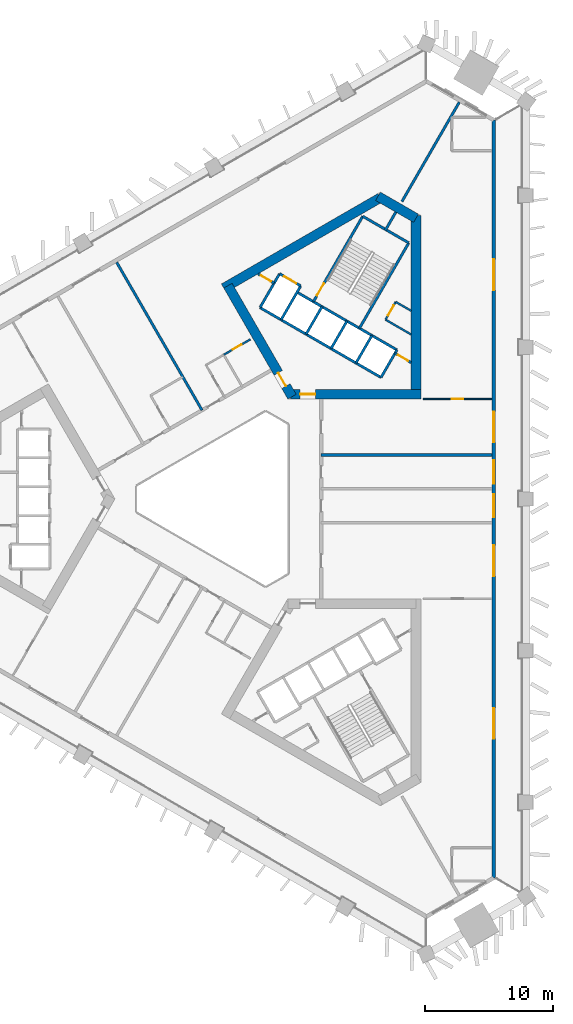
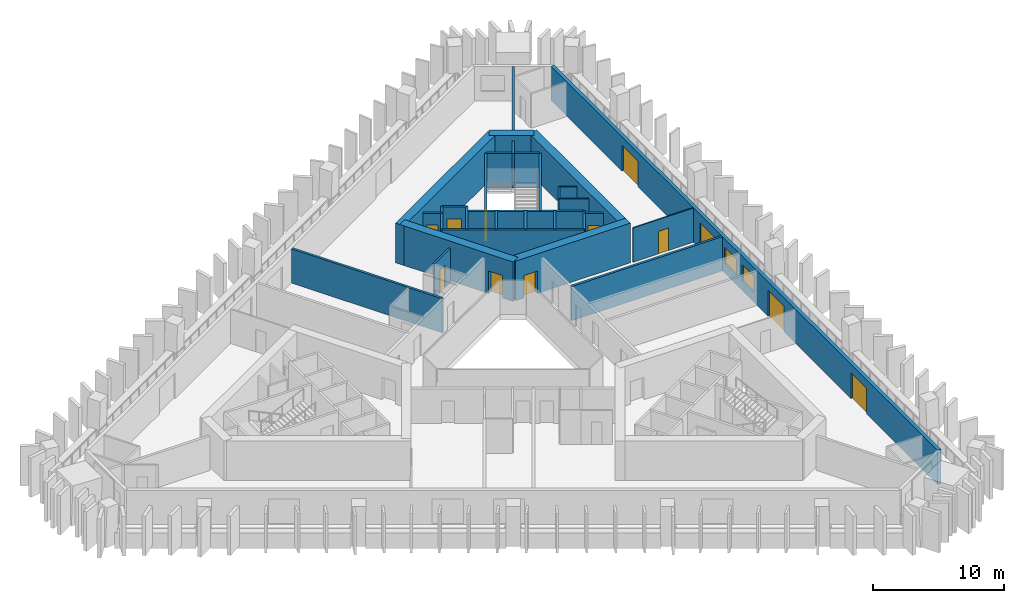
# One storey, part 6 of 11: 29 walls, 13 doors, 2 windows, 15 openings.
"""IFC4 building model written with IfcOpenShell, lengths in metres."""

from ifc_helpers import new_model, si_unit, direction, frame, frame_2d, origin, place, context, subcontext, project, spatial, rectangle, extrude, material, layer, layer_set, type_object, element, fill, save


model = new_model("IFC4")

# Units and contexts
model_context = context("Model", 3, precision=1e-05, world=origin(), true_north=direction((0.0, 1.0)))
body_context = subcontext(model_context, "Body", "Model", "MODEL_VIEW")
ifc_project = project(units=[si_unit("LENGTHUNIT", "METRE"), si_unit("AREAUNIT", "SQUARE_METRE"), si_unit("VOLUMEUNIT", "CUBIC_METRE"), si_unit("PLANEANGLEUNIT", "RADIAN"), si_unit("MASSUNIT", "GRAM", prefix="KILO")], contexts=[model_context])

# Site, building, storey
site_placement = place(None, origin())
site = spatial("IfcSite", under=ifc_project, at=site_placement, CompositionType="ELEMENT")
building_placement = place(site_placement, origin())
building = spatial("IfcBuilding", under=site, at=building_placement, Name="Jabali Bay Hotel Tower and Convention Centre", CompositionType="ELEMENT")
storey_placement = place(building_placement, frame((0.0, 0.0, 75.800048828125)))
storey = spatial("IfcBuildingStorey", under=building, at=storey_placement, Name="L17", CompositionType="ELEMENT", Elevation=75.800048828125)

# Wall
ifc_material_1 = material(Name="Concrete C40", Category="concrete")
ifc_layer_1 = layer(ifc_material_1, 0.199951171875)
ifc_layer_set_1 = layer_set([ifc_layer_1], Name="Concrete C40")
wall_type_1 = type_object("IfcWallType", Name="Core partition wall 200", PredefinedType="PARTITIONING", material=ifc_layer_set_1)
wall_1_placement = place(storey_placement, frame((87.090087890625, 100.9404296875, 0.0), z_axis=(0.0, 0.0, 1.0), x_axis=(0.499937194881, 0.866061661301, 0.0)))
element("IfcWall", 1, at=wall_1_placement, inside=storey, type_object=wall_type_1, Name="Core wall 1.5 L17", PredefinedType="PARTITIONING", context=body_context, shape_type="SweptSolid", body=[
    extrude(rectangle(XDim=1.673095703125, YDim=0.199951171875, at=frame_2d((0.83642578125, 0.0))), origin(), (0.0, 0.0, 1.0), 3.199951171875),
])

# Wall, opening, door
wall_2_placement = place(storey_placement, frame((89.130126953125, 90.640625, 0.0), z_axis=(0.0, 0.0, 1.0), x_axis=(-0.866094119867, 0.499880961361, 0.0)))
wall_2 = element("IfcWall", 2, at=wall_2_placement, inside=storey, type_object=wall_type_1, Name="Core wall 1.11 L17", PredefinedType="PARTITIONING", context=body_context, shape_type="SweptSolid", body=[
    extrude(rectangle(XDim=1.466552734375, YDim=0.199951171875, at=frame_2d((0.7333984375, 0.0))), origin(), (0.0, 0.0, 1.0), 3.199951171875),
])
opening_1_placement = place(wall_2_placement, frame((0.283447265625, 0.0, 0.0)))
opening_1 = element("IfcOpeningElement", 3, at=opening_1_placement, cuts=wall_2, Name="Opening D429", PredefinedType="OPENING", context=body_context, shape_type="SweptSolid", body=[
    extrude(rectangle(XDim=0.89990234375, YDim=2.10009765625, at=frame_2d((0.449951171875, 1.050048828125))), frame((0.0, 0.1103515625, 0.0), z_axis=(0.0, -1.0, 0.0), x_axis=(1.0, 0.0, 0.0)), (0.0, 0.0, 1.0), 0.220947265625),
])
ifc_material_2 = material(Name="Fire-rated steel door", Category="steel")
door_type_1 = type_object("IfcDoorType", Name="Vestibule fire door 900 x 2100", OperationType="NOTDEFINED", PredefinedType="NOTDEFINED", material=ifc_material_2)
door_1_placement = place(opening_1_placement, origin())
door_1 = element("IfcDoor", 4, at=door_1_placement, inside=storey, type_object=door_type_1, Name="Vestibule fire door D429", OperationType="SINGLE_SWING_LEFT", OverallHeight=2.10009765625, OverallWidth=0.89990234375, PredefinedType="NOTDEFINED", context=body_context, shape_type="SweptSolid", body=[
    extrude(rectangle(XDim=0.89990234375, YDim=2.10009765625, at=frame_2d((0.449951171875, 1.050048828125))), frame((0.0, 0.02490234375, 0.0), z_axis=(0.0, -1.0, 0.0), x_axis=(1.0, 0.0, 0.0)), (0.0, 0.0, 1.0), 0.050048828125),
])
fill(opening_1, door_1)

wall_3_placement = place(storey_placement, frame((78.43017578125, 96.84130859375, 0.0), z_axis=(0.0, 0.0, 1.0), x_axis=(-0.866045896294, 0.499964504253, 0.0)))
wall_3 = element("IfcWall", 5, at=wall_3_placement, inside=storey, type_object=wall_type_1, Name="Core wall 1.12 L17", PredefinedType="PARTITIONING", context=body_context, shape_type="SweptSolid", body=[
    extrude(rectangle(XDim=1.455078125, YDim=0.199951171875, at=frame_2d((0.7275390625, 0.0))), origin(), (0.0, 0.0, 1.0), 3.199951171875),
])
opening_2_placement = place(wall_3_placement, frame((0.277587890625, 0.0, 0.0)))
opening_2 = element("IfcOpeningElement", 6, at=opening_2_placement, cuts=wall_3, Name="Opening D428", PredefinedType="OPENING", context=body_context, shape_type="SweptSolid", body=[
    extrude(rectangle(XDim=0.89990234375, YDim=2.10009765625, at=frame_2d((0.449951171875, 1.050048828125))), frame((0.0, 0.1103515625, 0.0), z_axis=(0.0, -1.0, 0.0), x_axis=(1.0, 0.0, 0.0)), (0.0, 0.0, 1.0), 0.220947265625),
])
door_2_placement = place(opening_2_placement, origin())
door_2 = element("IfcDoor", 7, at=door_2_placement, inside=storey, type_object=door_type_1, Name="Vestibule fire door D428", OperationType="SINGLE_SWING_LEFT", OverallHeight=2.10009765625, OverallWidth=0.89990234375, PredefinedType="NOTDEFINED", context=body_context, shape_type="SweptSolid", body=[
    extrude(rectangle(XDim=0.89990234375, YDim=2.10009765625, at=frame_2d((0.449951171875, 1.050048828125))), frame((0.0, 0.02490234375, 0.0), z_axis=(0.0, -1.0, 0.0), x_axis=(1.0, 0.0, 0.0)), (0.0, 0.0, 1.0), 0.050048828125),
])
fill(opening_2, door_2)

ifc_material_3 = material(Name="Fire-rated board partition")
ifc_layer_2 = layer(ifc_material_3, 0.14990234375)
ifc_layer_set_2 = layer_set([ifc_layer_2], Name="Fire-rated board partition")
wall_type_2 = type_object("IfcWallType", Name="Core room partition 150", PredefinedType="PARTITIONING", material=ifc_layer_set_2)
wall_4_placement = place(storey_placement, frame((87.12109375, 93.994384765625, 0.0), z_axis=(0.0, 0.0, 1.0), x_axis=(0.500061482766, 0.865989903783, 0.0)))
wall_4 = element("IfcWall", 8, at=wall_4_placement, inside=storey, type_object=wall_type_2, Name="Core wall 1.1 L17", PredefinedType="PARTITIONING", context=body_context, shape_type="SweptSolid", body=[
    extrude(rectangle(XDim=1.599853515625, YDim=0.14990234375, at=frame_2d((0.7998046875, 0.0))), origin(), (0.0, 0.0, 1.0), 3.199951171875),
])
opening_3_placement = place(wall_4_placement, frame((0.387451171875, 0.0, 0.0)))
opening_3 = element("IfcOpeningElement", 9, at=opening_3_placement, cuts=wall_4, Name="Opening D431", PredefinedType="OPENING", context=body_context, shape_type="SweptSolid", body=[
    extrude(rectangle(XDim=0.89990234375, YDim=2.10009765625, at=frame_2d((0.449951171875, 1.050048828125))), frame((0.0, 0.08544921875, 0.0), z_axis=(0.0, -1.0, 0.0), x_axis=(1.0, 0.0, 0.0)), (0.0, 0.0, 1.0), 0.1708984375),
])
door_type_2 = type_object("IfcDoorType", Name="Core room door 900 x 2100", OperationType="NOTDEFINED", PredefinedType="NOTDEFINED", material=ifc_material_2)
door_3_placement = place(opening_3_placement, origin())
door_3 = element("IfcDoor", 10, at=door_3_placement, inside=storey, type_object=door_type_2, Name="Core room door D431", OperationType="SINGLE_SWING_LEFT", OverallHeight=2.10009765625, OverallWidth=0.89990234375, PredefinedType="NOTDEFINED", context=body_context, shape_type="SweptSolid", body=[
    extrude(rectangle(XDim=0.89990234375, YDim=2.10009765625, at=frame_2d((0.449951171875, 1.050048828125))), frame((0.0, 0.02490234375, 0.0), z_axis=(0.0, -1.0, 0.0), x_axis=(1.0, 0.0, 0.0)), (0.0, 0.0, 1.0), 0.050048828125),
])
fill(opening_3, door_3)

# Walls
wall_5_placement = place(storey_placement, frame((89.130126953125, 92.83447265625, 0.0), z_axis=(0.0, 0.0, 1.0), x_axis=(-0.866026103983, 0.499998787219, 0.0)))
element("IfcWall", 11, at=wall_5_placement, inside=storey, type_object=wall_type_2, Name="Core wall 1.15 L17", PredefinedType="PARTITIONING", context=body_context, shape_type="SweptSolid", body=[
    extrude(rectangle(XDim=2.31982421875, YDim=0.14990234375, at=frame_2d((1.159912109375, 0.0))), origin(), (0.0, 0.0, 1.0), 3.199951171875),
])
wall_6_placement = place(storey_placement, frame((89.1298828125, 94.68212890625, 0.0), z_axis=(0.0, 0.0, 1.0), x_axis=(-0.866060334111, 0.499939494019, 0.0)))
element("IfcWall", 12, at=wall_6_placement, inside=storey, type_object=wall_type_2, Name="Core wall 1.16 L17", PredefinedType="PARTITIONING", context=body_context, shape_type="SweptSolid", body=[
    extrude(rectangle(XDim=1.395751953125, YDim=0.14990234375, at=frame_2d((0.69775390625, 0.0))), origin(), (0.0, 0.0, 1.0), 3.199951171875),
])
ifc_layer_3 = layer(ifc_material_1, 0.199951171875)
ifc_layer_set_3 = layer_set([ifc_layer_3], Name="Concrete C40")
wall_type_3 = type_object("IfcWallType", Name="Core stair wall 200", PredefinedType="SOLIDWALL", material=ifc_layer_set_3)
for number, where, z_axis, x_axis, name in (
    (13, (86.769775390625, 89.48583984375, 0.0), (0.0, 0.0, 1.0), (0.499961042966, 0.86604789447, 0.0), "Core wall 1.0 L17"),
    (14, (84.8212890625, 90.61083984375, 0.0), (0.0, 0.0, 1.0), (0.499961042966, 0.86604789447, 0.0), "Core wall 1.2 L17"),
):
    element("IfcWall", number, at=place(storey_placement, frame(where, z_axis=z_axis, x_axis=x_axis)), inside=storey, type_object=wall_type_3, Name=name, PredefinedType="SOLIDWALL", context=body_context, shape_type="SweptSolid", body=[
        extrude(rectangle(XDim=2.480224609375, YDim=0.199951171875, at=frame_2d((1.240234375, 0.0))), origin(), (0.0, 0.0, 1.0), 3.199951171875),
    ])
wall_7_placement = place(storey_placement, frame((85.0869140625, 93.3212890625, 0.0), z_axis=(0.0, 0.0, 1.0), x_axis=(0.500019787375, 0.866013979237, 0.0)))
element("IfcWall", 15, at=wall_7_placement, inside=storey, type_object=wall_type_3, Name="Core wall 1.3 L17", PredefinedType="SOLIDWALL", context=body_context, shape_type="SweptSolid", body=[
    extrude(rectangle(XDim=7.699951171875, YDim=0.199951171875, at=frame_2d((3.85009765625, 0.0))), origin(), (0.0, 0.0, 1.0), 3.199951171875),
])
for number, where, z_axis, x_axis, name in (
    (16, (82.872802734375, 91.73583984375, 0.0), (0.0, 0.0, 1.0), (0.499961042966, 0.86604789447, 0.0), "Core wall 1.4 L17"),
    (17, (80.924072265625, 92.86083984375, 0.0), (0.0, 0.0, 1.0), (0.499961042966, 0.86604789447, 0.0), "Core wall 1.6 L17"),
):
    element("IfcWall", number, at=place(storey_placement, frame(where, z_axis=z_axis, x_axis=x_axis)), inside=storey, type_object=wall_type_3, Name=name, PredefinedType="SOLIDWALL", context=body_context, shape_type="SweptSolid", body=[
        extrude(rectangle(XDim=2.480224609375, YDim=0.199951171875, at=frame_2d((1.240234375, 0.0))), origin(), (0.0, 0.0, 1.0), 3.199951171875),
    ])

# Wall, opening, door
wall_8_placement = place(storey_placement, frame((81.492919921875, 95.396240234375, 0.0), z_axis=(0.0, 0.0, 1.0), x_axis=(0.500006057782, 0.866021906294, 0.0)))
wall_8 = element("IfcWall", 18, at=wall_8_placement, inside=storey, type_object=wall_type_3, Name="Core wall 1.7 L17", PredefinedType="SOLIDWALL", context=body_context, shape_type="SweptSolid", body=[
    extrude(rectangle(XDim=7.7001953125, YDim=0.199951171875, at=frame_2d((3.85009765625, 0.0))), origin(), (0.0, 0.0, 1.0), 3.199951171875),
])
opening_4_placement = place(wall_8_placement, frame((0.550048828125, 0.0, 0.0)))
opening_4 = element("IfcOpeningElement", 19, at=opening_4_placement, cuts=wall_8, Name="Opening D430", PredefinedType="OPENING", context=body_context, shape_type="SweptSolid", body=[
    extrude(rectangle(XDim=1.10009765625, YDim=2.10009765625, at=frame_2d((0.550048828125, 1.050048828125))), frame((0.0, 0.1103515625, 0.0), z_axis=(0.0, -1.0, 0.0), x_axis=(1.0, 0.0, 0.0)), (0.0, 0.0, 1.0), 0.220947265625),
])
door_type_3 = type_object("IfcDoorType", Name="Stair fire door 1100 x 2100", OperationType="NOTDEFINED", PredefinedType="NOTDEFINED", material=ifc_material_2)
door_4_placement = place(opening_4_placement, origin())
door_4 = element("IfcDoor", 20, at=door_4_placement, inside=storey, type_object=door_type_3, Name="Stair fire door D430", OperationType="SINGLE_SWING_RIGHT", OverallHeight=2.10009765625, OverallWidth=1.10009765625, PredefinedType="NOTDEFINED", context=body_context, shape_type="SweptSolid", body=[
    extrude(rectangle(XDim=1.10009765625, YDim=2.10009765625, at=frame_2d((0.550048828125, 1.050048828125))), frame((0.0, 0.02490234375, 0.0), z_axis=(0.0, -1.0, 0.0), x_axis=(1.0, 0.0, 0.0)), (0.0, 0.0, 1.0), 0.050048828125),
])
fill(opening_4, door_4)

# Walls
for number, where, z_axis, x_axis, name in (
    (21, (78.9755859375, 93.98583984375, 0.0), (0.0, 0.0, 1.0), (0.499944174705, 0.866057632134, 0.0), "Core wall 1.8 L17"),
    (22, (77.330078125, 94.93603515625, 0.0), (0.0, 0.0, 1.0), (0.500038867431, 0.8660029625, 0.0), "Core wall 1.9 L17"),
):
    element("IfcWall", number, at=place(storey_placement, frame(where, z_axis=z_axis, x_axis=x_axis)), inside=storey, type_object=wall_type_3, Name=name, PredefinedType="SOLIDWALL", context=body_context, shape_type="SweptSolid", body=[
        extrude(rectangle(XDim=3.050048828125, YDim=0.199951171875, at=frame_2d((1.52490234375, 0.0))), origin(), (0.0, 0.0, 1.0), 3.199951171875),
    ])
wall_9_placement = place(storey_placement, frame((86.769775390625, 89.48583984375, 0.0), z_axis=(0.0, 0.0, 1.0), x_axis=(-0.86601811187, 0.500012629753, 0.0)))
element("IfcWall", 23, at=wall_9_placement, inside=storey, type_object=wall_type_3, Name="Core wall 1.10 L17", PredefinedType="SOLIDWALL", context=body_context, shape_type="SweptSolid", body=[
    extrude(rectangle(XDim=10.900146484375, YDim=0.199951171875, at=frame_2d((5.4501953125, 0.0))), origin(), (0.0, 0.0, 1.0), 3.199951171875),
])
wall_10_placement = place(storey_placement, frame((88.009765625, 91.6337890625, 0.0), z_axis=(0.0, 0.0, 1.0), x_axis=(-0.866024315419, 0.5000018851, 0.0)))
element("IfcWall", 24, at=wall_10_placement, inside=storey, type_object=wall_type_3, Name="Core wall 1.13 L17", PredefinedType="SOLIDWALL", context=body_context, shape_type="SweptSolid", body=[
    extrude(rectangle(XDim=9.0, YDim=0.199951171875, at=frame_2d((4.5, 0.0))), origin(), (0.0, 0.0, 1.0), 3.199951171875),
])

# Wall, opening, door
wall_11_placement = place(storey_placement, frame((80.50048828125, 96.62744140625, 0.0), z_axis=(0.0, 0.0, 1.0), x_axis=(-0.86601224135, 0.500022797313, 0.0)))
wall_11 = element("IfcWall", 25, at=wall_11_placement, inside=storey, type_object=wall_type_3, Name="Core wall 1.14 L17", PredefinedType="SOLIDWALL", context=body_context, shape_type="SweptSolid", body=[
    extrude(rectangle(XDim=1.89990234375, YDim=0.199951171875, at=frame_2d((0.949951171875, 0.0))), origin(), (0.0, 0.0, 1.0), 3.199951171875),
])
opening_5_placement = place(wall_11_placement, frame((0.39990234375, 0.0, 0.0)))
opening_5 = element("IfcOpeningElement", 26, at=opening_5_placement, cuts=wall_11, Name="Opening LD10-L17", PredefinedType="OPENING", context=body_context, shape_type="SweptSolid", body=[
    extrude(rectangle(XDim=1.10009765625, YDim=2.10009765625, at=frame_2d((0.550048828125, 1.050048828125))), frame((0.0, 0.1103515625, 0.0), z_axis=(0.0, -1.0, 0.0), x_axis=(1.0, 0.0, 0.0)), (0.0, 0.0, 1.0), 0.220947265625),
])
ifc_material_4 = material(Name="Stainless steel landing door", Category="steel")
door_type_4 = type_object("IfcDoorType", Name="Landing door 1100 x 2100", OperationType="NOTDEFINED", PredefinedType="NOTDEFINED", material=ifc_material_4)
door_5_placement = place(opening_5_placement, origin())
door_5 = element("IfcDoor", 27, at=door_5_placement, inside=storey, type_object=door_type_4, Name="Landing doors LD10-L17", OperationType="SLIDING_TO_RIGHT", OverallHeight=2.10009765625, OverallWidth=1.10009765625, PredefinedType="NOTDEFINED", context=body_context, shape_type="SweptSolid", body=[
    extrude(rectangle(XDim=1.10009765625, YDim=2.10009765625, at=frame_2d((0.550048828125, 1.050048828125))), frame((0.0, 0.02490234375, 0.0), z_axis=(0.0, -1.0, 0.0), x_axis=(1.0, 0.0, 0.0)), (0.0, 0.0, 1.0), 0.050048828125),
])
fill(opening_5, door_5)

# Wall
wall_12_placement = place(storey_placement, frame((88.93701171875, 99.989501953125, 0.0), z_axis=(0.0, 0.0, 1.0), x_axis=(-0.866004344652, 0.500036473714, 0.0)))
element("IfcWall", 28, at=wall_12_placement, inside=storey, type_object=wall_type_3, Name="Core wall 1.17 L17", PredefinedType="SOLIDWALL", context=body_context, shape_type="SweptSolid", body=[
    extrude(rectangle(XDim=4.150146484375, YDim=0.199951171875, at=frame_2d((2.0751953125, 0.0))), origin(), (0.0, 0.0, 1.0), 3.199951171875),
])

# Wall, opening, door
ifc_material_5 = material(Name="Concrete C60", Category="concrete")
ifc_layer_4 = layer(ifc_material_5, 0.75)
ifc_layer_set_4 = layer_set([ifc_layer_4], Name="Concrete C60")
wall_type_4 = type_object("IfcWallType", Name="Core wall 750", PredefinedType="SHEAR", material=ifc_layer_set_4)
wall_13_placement = place(storey_placement, frame((79.716552734375, 88.169189453125, 0.0), z_axis=(0.0, 0.0, 1.0), x_axis=(1.0, 0.0, 0.0)))
wall_13 = element("IfcWall", 29, at=wall_13_placement, inside=storey, type_object=wall_type_4, Name="Core wall 2.1 L17", PredefinedType="SHEAR", context=body_context, shape_type="SweptSolid", body=[
    extrude(rectangle(XDim=10.163330078125, YDim=0.75, at=frame_2d((5.08154296875, 0.0))), origin(), (0.0, 0.0, 1.0), 3.699951171875),
])
opening_6_placement = place(wall_13_placement, frame((0.7333984375, 0.0, 0.0)))
opening_6 = element("IfcOpeningElement", 30, at=opening_6_placement, cuts=wall_13, Name="Opening D426", PredefinedType="OPENING", context=body_context, shape_type="SweptSolid", body=[
    extrude(rectangle(XDim=1.199951171875, YDim=2.10009765625, at=frame_2d((0.60009765625, 1.050048828125))), frame((0.0, 0.385498046875, 0.0), z_axis=(0.0, -1.0, 0.0), x_axis=(1.0, 0.0, 0.0)), (0.0, 0.0, 1.0), 0.77099609375),
])
door_type_5 = type_object("IfcDoorType", Name="Corridor end fire door 1200 x 2100", OperationType="NOTDEFINED", PredefinedType="NOTDEFINED", material=ifc_material_2)
door_6_placement = place(opening_6_placement, origin())
door_6 = element("IfcDoor", 31, at=door_6_placement, inside=storey, type_object=door_type_5, Name="Corridor end fire door D426", OperationType="SINGLE_SWING_RIGHT", OverallHeight=2.10009765625, OverallWidth=1.199951171875, PredefinedType="NOTDEFINED", context=body_context, shape_type="SweptSolid", body=[
    extrude(rectangle(XDim=1.199951171875, YDim=2.10009765625, at=frame_2d((0.60009765625, 1.050048828125))), frame((0.0, 0.02490234375, 0.0), z_axis=(0.0, -1.0, 0.0), x_axis=(1.0, 0.0, 0.0)), (0.0, 0.0, 1.0), 0.050048828125),
])
fill(opening_6, door_6)

# Walls
wall_14_placement = place(storey_placement, frame((89.5048828125, 88.169189453125, 0.0), z_axis=(0.0, 0.0, 1.0), x_axis=(0.0, 1.0, 0.0)))
element("IfcWall", 32, at=wall_14_placement, inside=storey, type_object=wall_type_4, Name="Core wall 2.2 L17", PredefinedType="SHEAR", context=body_context, shape_type="SweptSolid", body=[
    extrude(rectangle(XDim=13.95849609375, YDim=0.75, at=frame_2d((6.979248046875, 0.0))), origin(), (0.0, 0.0, 1.0), 3.699951171875),
])
wall_15_placement = place(storey_placement, frame((89.5048828125, 101.9111328125, 0.0), z_axis=(0.0, 0.0, 1.0), x_axis=(-0.866017201164, 0.500014207086, 0.0)))
element("IfcWall", 33, at=wall_15_placement, inside=storey, type_object=wall_type_4, Name="Core wall 2.3 L17", PredefinedType="SHEAR", context=body_context, shape_type="SweptSolid", body=[
    extrude(rectangle(XDim=3.4287109375, YDim=0.75, at=frame_2d((1.71435546875, 0.0))), origin(), (0.0, 0.0, 1.0), 3.699951171875),
])
wall_16_placement = place(storey_placement, frame((86.72314453125, 103.517333984375, 0.0), z_axis=(0.0, 0.0, 1.0), x_axis=(-0.866020851292, -0.500007885066, 0.0)))
element("IfcWall", 34, at=wall_16_placement, inside=storey, type_object=wall_type_4, Name="Core wall 2.4 L17", PredefinedType="SHEAR", context=body_context, shape_type="SweptSolid", body=[
    extrude(rectangle(XDim=14.116943359375, YDim=0.75, at=frame_2d((7.05859375, 0.0))), origin(), (0.0, 0.0, 1.0), 3.699951171875),
])

# Wall, opening, door
wall_17_placement = place(storey_placement, frame((74.822265625, 96.646240234375, 0.0), z_axis=(0.0, 0.0, 1.0), x_axis=(0.499997052475, -0.866027105532, 0.0)))
wall_17 = element("IfcWall", 35, at=wall_17_placement, inside=storey, type_object=wall_type_4, Name="Core wall 2.5 L17", PredefinedType="SHEAR", context=body_context, shape_type="SweptSolid", body=[
    extrude(rectangle(XDim=10.0048828125, YDim=0.75, at=frame_2d((5.00244140625, 0.0))), origin(), (0.0, 0.0, 1.0), 3.699951171875),
])
opening_7_placement = place(wall_17_placement, frame((7.85498046875, 0.0, 0.0)))
opening_7 = element("IfcOpeningElement", 36, at=opening_7_placement, cuts=wall_17, Name="Opening D427", PredefinedType="OPENING", context=body_context, shape_type="SweptSolid", body=[
    extrude(rectangle(XDim=1.199951171875, YDim=2.10009765625, at=frame_2d((0.60009765625, 1.050048828125))), frame((0.0, 0.385498046875, 0.0), z_axis=(0.0, -1.0, 0.0), x_axis=(1.0, 0.0, 0.0)), (0.0, 0.0, 1.0), 0.77099609375),
])
door_7_placement = place(opening_7_placement, origin())
door_7 = element("IfcDoor", 37, at=door_7_placement, inside=storey, type_object=door_type_5, Name="Corridor end fire door D427", OperationType="SINGLE_SWING_LEFT", OverallHeight=2.10009765625, OverallWidth=1.199951171875, PredefinedType="NOTDEFINED", context=body_context, shape_type="SweptSolid", body=[
    extrude(rectangle(XDim=1.199951171875, YDim=2.10009765625, at=frame_2d((0.60009765625, 1.050048828125))), frame((0.0, 0.02490234375, 0.0), z_axis=(0.0, -1.0, 0.0), x_axis=(1.0, 0.0, 0.0)), (0.0, 0.0, 1.0), 0.050048828125),
])
fill(opening_7, door_7)

# Wall, openings, doors, windows
ifc_layer_5 = layer(ifc_material_1, 0.300048828125)
ifc_layer_set_5 = layer_set([ifc_layer_5], Name="Concrete C40")
wall_type_5 = type_object("IfcWallType", Name="External wall 300", PredefinedType="SOLIDWALL", material=ifc_layer_set_5)
wall_18_placement = place(storey_placement, frame((95.575439453125, 109.583251953125, 0.0), z_axis=(0.0, 0.0, 1.0), x_axis=(0.0, -1.0, 0.0)))
wall_18 = element("IfcWall", 38, at=wall_18_placement, inside=storey, type_object=wall_type_5, Name="External wall east face L17", PredefinedType="SOLIDWALL", context=body_context, shape_type="SweptSolid", body=[
    extrude(rectangle(XDim=59.16650390625, YDim=0.300048828125, at=frame_2d((29.583251953125, 0.0))), origin(), (0.0, 0.0, 1.0), 3.199951171875),
])
opening_8_placement = place(wall_18_placement, frame((33.215576171875, 0.0, 0.0)))
opening_8 = element("IfcOpeningElement", 39, at=opening_8_placement, cuts=wall_18, Name="Opening SD1", PredefinedType="OPENING", context=body_context, shape_type="SweptSolid", body=[
    extrude(rectangle(XDim=2.39990234375, YDim=2.39990234375, at=frame_2d((1.199951171875, 1.199951171875))), frame((0.0, 0.16064453125, 0.0), z_axis=(0.0, -1.0, 0.0), x_axis=(1.0, 0.0, 0.0)), (0.0, 0.0, 1.0), 0.321044921875),
])
opening_9_placement = place(wall_18_placement, frame((45.902587890625, 0.0, 0.0)))
opening_9 = element("IfcOpeningElement", 40, at=opening_9_placement, cuts=wall_18, Name="Opening SD1", PredefinedType="OPENING", context=body_context, shape_type="SweptSolid", body=[
    extrude(rectangle(XDim=2.39990234375, YDim=2.39990234375, at=frame_2d((1.199951171875, 1.199951171875))), frame((0.0, 0.16064453125, 0.0), z_axis=(0.0, -1.0, 0.0), x_axis=(1.0, 0.0, 0.0)), (0.0, 0.0, 1.0), 0.321044921875),
])
opening_10_placement = place(wall_18_placement, frame((22.771240234375, 0.0, 0.0)))
opening_10 = element("IfcOpeningElement", 41, at=opening_10_placement, cuts=wall_18, Name="Opening SD1", PredefinedType="OPENING", context=body_context, shape_type="SweptSolid", body=[
    extrude(rectangle(XDim=2.39990234375, YDim=2.39990234375, at=frame_2d((1.199951171875, 1.199951171875))), frame((0.0, 0.16064453125, 0.0), z_axis=(0.0, -1.0, 0.0), x_axis=(1.0, 0.0, 0.0)), (0.0, 0.0, 1.0), 0.321044921875),
])
opening_11_placement = place(wall_18_placement, frame((10.8798828125, 0.0, 0.0)))
opening_11 = element("IfcOpeningElement", 42, at=opening_11_placement, cuts=wall_18, Name="Opening SD1", PredefinedType="OPENING", context=body_context, shape_type="SweptSolid", body=[
    extrude(rectangle(XDim=2.39990234375, YDim=2.39990234375, at=frame_2d((1.199951171875, 1.199951171875))), frame((0.0, 0.16064453125, 0.0), z_axis=(0.0, -1.0, 0.0), x_axis=(1.0, 0.0, 0.0)), (0.0, 0.0, 1.0), 0.321044921875),
])
opening_12_placement = place(wall_18_placement, frame((29.228759765625, 0.0, 0.89990234375)))
opening_12 = element("IfcOpeningElement", 43, at=opening_12_placement, cuts=wall_18, Name="Opening W1", PredefinedType="OPENING", context=body_context, shape_type="SweptSolid", body=[
    extrude(rectangle(XDim=1.800048828125, YDim=1.5, at=frame_2d((0.89990234375, 0.75))), frame((0.0, 0.16064453125, 0.0), z_axis=(0.0, -1.0, 0.0), x_axis=(1.0, 0.0, 0.0)), (0.0, 0.0, 1.0), 0.321044921875),
])
opening_13_placement = place(wall_18_placement, frame((26.57861328125, 0.0, 0.89990234375)))
opening_13 = element("IfcOpeningElement", 44, at=opening_13_placement, cuts=wall_18, Name="Opening W1", PredefinedType="OPENING", context=body_context, shape_type="SweptSolid", body=[
    extrude(rectangle(XDim=1.800048828125, YDim=1.5, at=frame_2d((0.89990234375, 0.75))), frame((0.0, 0.16064453125, 0.0), z_axis=(0.0, -1.0, 0.0), x_axis=(1.0, 0.0, 0.0)), (0.0, 0.0, 1.0), 0.321044921875),
])
ifc_material_6 = material(Name="Glass", Category="glass")
door_type_6 = type_object("IfcDoorType", Name="Loggia sliding door 2400 x 2400", OperationType="NOTDEFINED", PredefinedType="NOTDEFINED", material=ifc_material_6)
door_8_placement = place(opening_8_placement, origin())
door_8 = element("IfcDoor", 45, at=door_8_placement, inside=storey, type_object=door_type_6, Name="Loggia sliding door 1701", OperationType="SLIDING_TO_LEFT", OverallHeight=2.39990234375, OverallWidth=2.39990234375, PredefinedType="NOTDEFINED", context=body_context, shape_type="SweptSolid", body=[
    extrude(rectangle(XDim=2.39990234375, YDim=2.39990234375, at=frame_2d((1.199951171875, 1.199951171875))), frame((0.0, 0.02490234375, 0.0), z_axis=(0.0, -1.0, 0.0), x_axis=(1.0, 0.0, 0.0)), (0.0, 0.0, 1.0), 0.050048828125),
])
fill(opening_8, door_8)
door_9_placement = place(opening_9_placement, origin())
door_9 = element("IfcDoor", 46, at=door_9_placement, inside=storey, type_object=door_type_6, Name="Loggia sliding door 1701", OperationType="SLIDING_TO_RIGHT", OverallHeight=2.39990234375, OverallWidth=2.39990234375, PredefinedType="NOTDEFINED", context=body_context, shape_type="SweptSolid", body=[
    extrude(rectangle(XDim=2.39990234375, YDim=2.39990234375, at=frame_2d((1.199951171875, 1.199951171875))), frame((0.0, 0.02490234375, 0.0), z_axis=(0.0, -1.0, 0.0), x_axis=(1.0, 0.0, 0.0)), (0.0, 0.0, 1.0), 0.050048828125),
])
fill(opening_9, door_9)
door_10_placement = place(opening_10_placement, origin())
door_10 = element("IfcDoor", 47, at=door_10_placement, inside=storey, type_object=door_type_6, Name="Loggia sliding door 1704", OperationType="SLIDING_TO_LEFT", OverallHeight=2.39990234375, OverallWidth=2.39990234375, PredefinedType="NOTDEFINED", context=body_context, shape_type="SweptSolid", body=[
    extrude(rectangle(XDim=2.39990234375, YDim=2.39990234375, at=frame_2d((1.199951171875, 1.199951171875))), frame((0.0, 0.02490234375, 0.0), z_axis=(0.0, -1.0, 0.0), x_axis=(1.0, 0.0, 0.0)), (0.0, 0.0, 1.0), 0.050048828125),
])
fill(opening_10, door_10)
door_11_placement = place(opening_11_placement, origin())
door_11 = element("IfcDoor", 48, at=door_11_placement, inside=storey, type_object=door_type_6, Name="Loggia sliding door 1704", OperationType="SLIDING_TO_RIGHT", OverallHeight=2.39990234375, OverallWidth=2.39990234375, PredefinedType="NOTDEFINED", context=body_context, shape_type="SweptSolid", body=[
    extrude(rectangle(XDim=2.39990234375, YDim=2.39990234375, at=frame_2d((1.199951171875, 1.199951171875))), frame((0.0, 0.02490234375, 0.0), z_axis=(0.0, -1.0, 0.0), x_axis=(1.0, 0.0, 0.0)), (0.0, 0.0, 1.0), 0.050048828125),
])
fill(opening_11, door_11)
window_type = type_object("IfcWindowType", Name="Window 1800 x 1500", PartitioningType="SINGLE_PANEL", PredefinedType="WINDOW", material=ifc_material_6)
window_1_placement = place(opening_12_placement, origin())
window_1 = element("IfcWindow", 49, at=window_1_placement, inside=storey, type_object=window_type, Name="Window 1702", OverallHeight=1.5, OverallWidth=1.800048828125, PartitioningType="SINGLE_PANEL", PredefinedType="WINDOW", context=body_context, shape_type="SweptSolid", body=[
    extrude(rectangle(XDim=1.800048828125, YDim=1.5, at=frame_2d((0.89990234375, 0.75))), frame((0.0, 0.030029296875, 0.0), z_axis=(0.0, -1.0, 0.0), x_axis=(1.0, 0.0, 0.0)), (0.0, 0.0, 1.0), 0.06005859375),
])
fill(opening_12, window_1)
window_2_placement = place(opening_13_placement, origin())
window_2 = element("IfcWindow", 50, at=window_2_placement, inside=storey, type_object=window_type, Name="Window 1703", OverallHeight=1.5, OverallWidth=1.800048828125, PartitioningType="SINGLE_PANEL", PredefinedType="WINDOW", context=body_context, shape_type="SweptSolid", body=[
    extrude(rectangle(XDim=1.800048828125, YDim=1.5, at=frame_2d((0.89990234375, 0.75))), frame((0.0, 0.030029296875, 0.0), z_axis=(0.0, -1.0, 0.0), x_axis=(1.0, 0.0, 0.0)), (0.0, 0.0, 1.0), 0.06005859375),
])
fill(opening_13, window_2)

# Wall, opening, door
ifc_material_7 = material(Name="Plasterboard on steel stud", Category="steel")
ifc_layer_6 = layer(ifc_material_7, 0.10009765625)
ifc_layer_set_6 = layer_set([ifc_layer_6], Name="Plasterboard on steel stud")
wall_type_6 = type_object("IfcWallType", Name="Partition 100 unit", PredefinedType="PARTITIONING", material=ifc_layer_set_6)
wall_19_placement = place(storey_placement, frame((95.42626953125, 87.794189453125, 0.0), z_axis=(0.0, 0.0, 1.0), x_axis=(-1.0, 0.0, 0.0)))
wall_19 = element("IfcWall", 51, at=wall_19_placement, inside=storey, type_object=wall_type_6, Name="Partition P02 L17 009", PredefinedType="PARTITIONING", context=body_context, shape_type="SweptSolid", body=[
    extrude(rectangle(XDim=5.34716796875, YDim=0.10009765625, at=frame_2d((2.673583984375, 0.0))), origin(), (0.0, 0.0, 1.0), 3.199951171875),
])
opening_14_placement = place(wall_19_placement, frame((2.22412109375, 0.0, 0.0)))
opening_14 = element("IfcOpeningElement", 52, at=opening_14_placement, cuts=wall_19, Name="Opening 1707", PredefinedType="OPENING", context=body_context, shape_type="SweptSolid", body=[
    extrude(rectangle(XDim=0.89990234375, YDim=2.10009765625, at=frame_2d((0.449951171875, 1.050048828125))), frame((0.0, 0.060546875, 0.0), z_axis=(0.0, -1.0, 0.0), x_axis=(1.0, 0.0, 0.0)), (0.0, 0.0, 1.0), 0.12109375),
])
ifc_material_8 = material(Name="Timber", Category="wood")
door_type_7 = type_object("IfcDoorType", Name="Internal door 900 x 2100", OperationType="NOTDEFINED", PredefinedType="NOTDEFINED", material=ifc_material_8)
door_12_placement = place(opening_14_placement, origin())
door_12 = element("IfcDoor", 53, at=door_12_placement, inside=storey, type_object=door_type_7, Name="Door 1707", OperationType="SINGLE_SWING_RIGHT", OverallHeight=2.10009765625, OverallWidth=0.89990234375, PredefinedType="NOTDEFINED", context=body_context, shape_type="SweptSolid", body=[
    extrude(rectangle(XDim=0.89990234375, YDim=2.10009765625, at=frame_2d((0.449951171875, 1.050048828125))), frame((0.0, 0.02490234375, 0.0), z_axis=(0.0, -1.0, 0.0), x_axis=(1.0, 0.0, 0.0)), (0.0, 0.0, 1.0), 0.050048828125),
])
fill(opening_14, door_12)

ifc_layer_7 = layer(ifc_material_7, 0.14990234375)
ifc_layer_set_7 = layer_set([ifc_layer_7], Name="Plasterboard on steel stud")
wall_type_7 = type_object("IfcWallType", Name="Partition 150 wet", PredefinedType="PARTITIONING", material=ifc_layer_set_7)
wall_20_placement = place(storey_placement, frame((74.498291015625, 91.25732421875, 0.0), z_axis=(0.0, 0.0, 1.0), x_axis=(0.866038271014, 0.499977712642, 0.0)))
wall_20 = element("IfcWall", 54, at=wall_20_placement, inside=storey, type_object=wall_type_7, Name="Partition P03 L17 014", PredefinedType="PARTITIONING", context=body_context, shape_type="SweptSolid", body=[
    extrude(rectangle(XDim=2.40087890625, YDim=0.14990234375, at=frame_2d((1.200439453125, 0.0))), origin(), (0.0, 0.0, 1.0), 3.199951171875),
])
opening_15_placement = place(wall_20_placement, frame((0.801025390625, 0.0, 0.0)))
opening_15 = element("IfcOpeningElement", 55, at=opening_15_placement, cuts=wall_20, Name="Opening 1709", PredefinedType="OPENING", context=body_context, shape_type="SweptSolid", body=[
    extrude(rectangle(XDim=0.800048828125, YDim=2.10009765625, at=frame_2d((0.39990234375, 1.050048828125))), frame((0.0, 0.08544921875, 0.0), z_axis=(0.0, -1.0, 0.0), x_axis=(1.0, 0.0, 0.0)), (0.0, 0.0, 1.0), 0.1708984375),
])
door_type_8 = type_object("IfcDoorType", Name="En-suite door 800 x 2100", OperationType="NOTDEFINED", PredefinedType="NOTDEFINED", material=ifc_material_8)
door_13_placement = place(opening_15_placement, origin())
door_13 = element("IfcDoor", 56, at=door_13_placement, inside=storey, type_object=door_type_8, Name="Door 1709", OperationType="SINGLE_SWING_LEFT", OverallHeight=2.10009765625, OverallWidth=0.800048828125, PredefinedType="NOTDEFINED", context=body_context, shape_type="SweptSolid", body=[
    extrude(rectangle(XDim=0.800048828125, YDim=2.10009765625, at=frame_2d((0.39990234375, 1.050048828125))), frame((0.0, 0.02490234375, 0.0), z_axis=(0.0, -1.0, 0.0), x_axis=(1.0, 0.0, 0.0)), (0.0, 0.0, 1.0), 0.050048828125),
])
fill(opening_15, door_13)

# Walls
ifc_layer_8 = layer(ifc_material_7, 0.199951171875)
ifc_layer_set_8 = layer_set([ifc_layer_8], Name="Plasterboard on steel stud")
wall_type_8 = type_object("IfcWallType", Name="Partition 200 party", PredefinedType="PARTITIONING", material=ifc_layer_set_8)
wall_21_placement = place(storey_placement, frame((95.42626953125, 83.429443359375, 0.0), z_axis=(0.0, 0.0, 1.0), x_axis=(-1.0, 0.0, 0.0)))
element("IfcWall", 57, at=wall_21_placement, inside=storey, type_object=wall_type_8, Name="Partition P01 L17 008", PredefinedType="PARTITIONING", context=body_context, shape_type="SweptSolid", body=[
    extrude(rectangle(XDim=13.326171875, YDim=0.199951171875, at=frame_2d((6.6630859375, 0.0))), origin(), (0.0, 0.0, 1.0), 3.199951171875),
])
wall_22_placement = place(storey_placement, frame((92.880126953125, 110.96728515625, 0.0), z_axis=(0.0, 0.0, 1.0), x_axis=(-0.500000093992, -0.866025349518, 0.0)))
element("IfcWall", 58, at=wall_22_placement, inside=storey, type_object=wall_type_8, Name="Partition P01 L17 013", PredefinedType="PARTITIONING", context=body_context, shape_type="SweptSolid", body=[
    extrude(rectangle(XDim=8.95654296875, YDim=0.199951171875, at=frame_2d((4.478271484375, 0.0))), origin(), (0.0, 0.0, 1.0), 3.199951171875),
])
wall_23_placement = place(storey_placement, frame((66.13671875, 98.46923828125, 0.0), z_axis=(0.0, 0.0, 1.0), x_axis=(0.500006843521, -0.86602145264, 0.0)))
element("IfcWall", 59, at=wall_23_placement, inside=storey, type_object=wall_type_8, Name="Partition P01 L17 017", PredefinedType="PARTITIONING", context=body_context, shape_type="SweptSolid", body=[
    extrude(rectangle(XDim=13.326416015625, YDim=0.199951171875, at=frame_2d((6.6630859375, 0.0))), origin(), (0.0, 0.0, 1.0), 3.199951171875),
])

save(model, "model.ifc")
